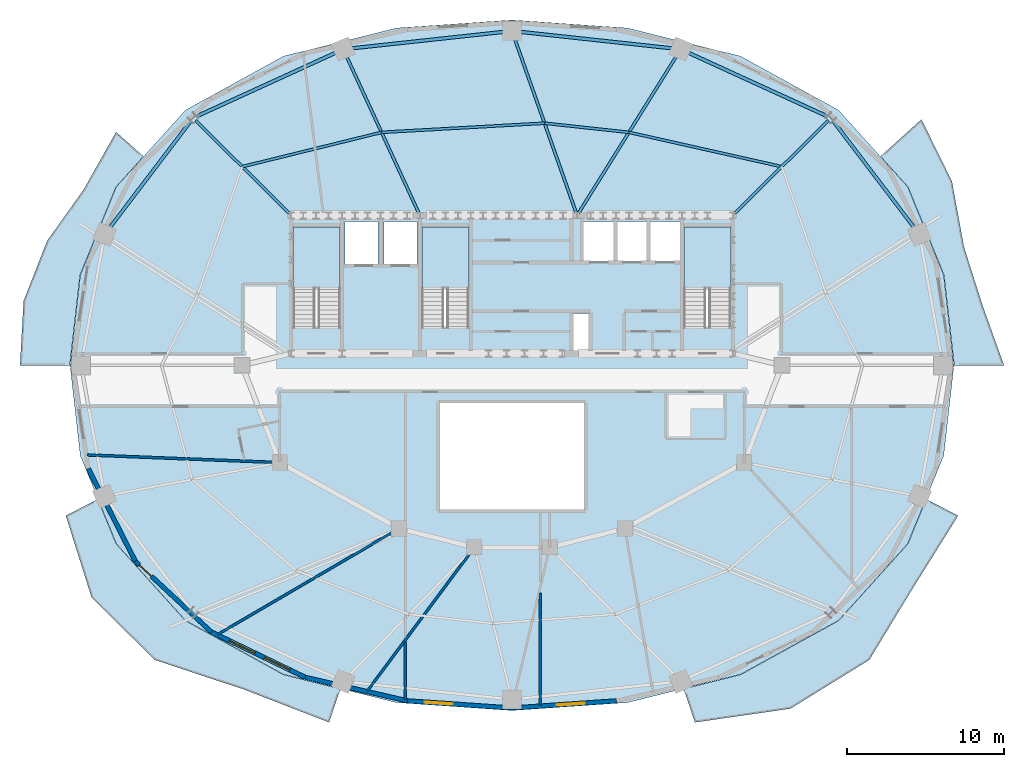
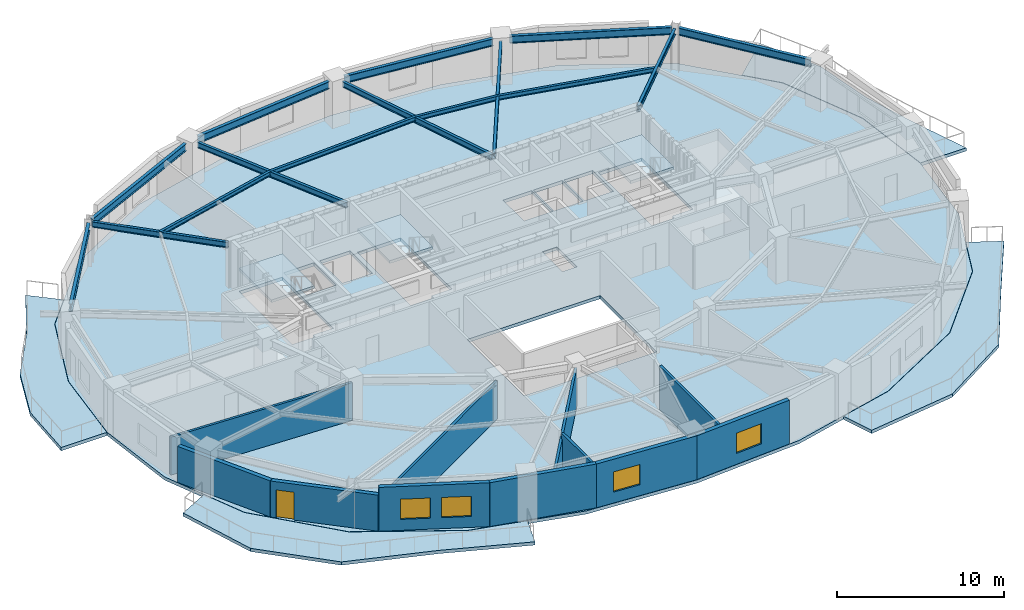
# One storey, part 3 of 11: 15 beams, 11 walls, 8 slabs, 4 windows, 1 door, 5 openings, 3 elements without a shape of their own.
"""IFC4 building model written with IfcOpenShell, lengths in metres."""

from ifc_helpers import new_model, si_unit, direction, frame, frame_2d, origin, origin_2d, place, context, subcontext, project, spatial, polyline, rectangle, i_section, outline, extrude, material, layer, layer_set, material_profile, profile_set, type_object, element, fill, aggregate, save


model = new_model("IFC4")

# Units and contexts
model_context = context("Model", 3, precision=1e-05, world=origin(), true_north=direction((0.0, 1.0)))
body_context = subcontext(model_context, "Body", "Model", "MODEL_VIEW")
ifc_project = project(units=[si_unit("LENGTHUNIT", "METRE"), si_unit("AREAUNIT", "SQUARE_METRE"), si_unit("VOLUMEUNIT", "CUBIC_METRE"), si_unit("PLANEANGLEUNIT", "RADIAN"), si_unit("MASSUNIT", "GRAM", prefix="KILO")], contexts=[model_context])

# Site, building, storey
site_placement = place(None, origin())
site = spatial("IfcSite", under=ifc_project, at=site_placement, CompositionType="ELEMENT")
building_placement = place(site_placement, origin())
building = spatial("IfcBuilding", under=site, at=building_placement, Name="Haldorwick Loom Tower", CompositionType="ELEMENT")
storey_placement = place(building_placement, frame((0.0, 0.0, 211.75)))
storey = spatial("IfcBuildingStorey", under=building, at=storey_placement, Name="L57", CompositionType="ELEMENT", Elevation=211.75)

# Beams
ifc_material_1 = material(Name="Steel CSA G40.21 350W", Category="steel")
ifc_material_profile_1 = material_profile(ifc_material_1, i_section(OverallWidth=0.166015625, OverallDepth=0.31298828125, WebThickness=0.006591796875, FlangeThickness=0.01123046875, at=origin_2d()), Name="W310X45", Category="steel")
ifc_profile_set_1 = profile_set([ifc_material_profile_1], Name="Steel CSA G40.21 350W")
beam_type_1 = type_object("IfcBeamType", Name="STR-BM-J310", PredefinedType="JOIST", material=ifc_profile_set_1)
beam_1_placement = place(storey_placement, frame((53.19384765625, 38.657470703125, 3.053466796875), z_axis=(-0.975700785876, 0.219107225898, 0.0), x_axis=(-0.219107225898, -0.975700785876, 0.0)))
element("IfcBeam", 1, at=beam_1_placement, inside=storey, type_object=beam_type_1, Name="L57 Mid-Bay Secondary Joist 3", PredefinedType="JOIST", context=body_context, shape_type="SweptSolid", body=[
    extrude(i_section(OverallWidth=0.166015625, OverallDepth=0.31298828125, WebThickness=0.006591796875, FlangeThickness=0.01123046875, at=origin_2d()), origin(), (0.0, 0.0, 1.0), 9.98486328125),
])
beam_2_placement = place(storey_placement, frame((43.45166015625, 40.84521484375, 3.053466796875), z_axis=(-0.994187082722, 0.107666357549, 0.0), x_axis=(-0.107666357549, -0.994187082722, 0.0)))
element("IfcBeam", 2, at=beam_2_placement, inside=storey, type_object=beam_type_1, Name="L57 Mid-Bay Secondary Joist 4", PredefinedType="JOIST", context=body_context, shape_type="SweptSolid", body=[
    extrude(i_section(OverallWidth=0.166015625, OverallDepth=0.31298828125, WebThickness=0.006591796875, FlangeThickness=0.01123046875, at=origin_2d()), origin(), (0.0, 0.0, 1.0), 5.408203125),
])
beam_3_placement = place(storey_placement, frame((38.074951171875, 41.427490234375, 3.053466796875), z_axis=(-0.998432354117, -0.05597172726, 0.0), x_axis=(0.05597172726, -0.998432354117, 0.0)))
element("IfcBeam", 3, at=beam_3_placement, inside=storey, type_object=beam_type_1, Name="L57 Mid-Bay Secondary Joist 5", PredefinedType="JOIST", context=body_context, shape_type="SweptSolid", body=[
    extrude(i_section(OverallWidth=0.166015625, OverallDepth=0.31298828125, WebThickness=0.006591796875, FlangeThickness=0.01123046875, at=origin_2d()), origin(), (0.0, 0.0, 1.0), 10.403076171875),
])
beam_4_placement = place(storey_placement, frame((27.688232421875, 40.84521484375, 3.053466796875), z_axis=(-0.970979703726, -0.239161901132, 0.0), x_axis=(0.239161901132, -0.970979703726, 0.0)))
element("IfcBeam", 4, at=beam_4_placement, inside=storey, type_object=beam_type_1, Name="L57 Mid-Bay Secondary Joist 6", PredefinedType="JOIST", context=body_context, shape_type="SweptSolid", body=[
    extrude(i_section(OverallWidth=0.166015625, OverallDepth=0.31298828125, WebThickness=0.006591796875, FlangeThickness=0.01123046875, at=origin_2d()), origin(), (0.0, 0.0, 1.0), 9.1474609375),
])
ifc_material_profile_2 = material_profile(ifc_material_1, i_section(OverallWidth=0.179931640625, OverallDepth=0.4130859375, WebThickness=0.009765625, FlangeThickness=0.01611328125, at=origin_2d()), Name="W410X74", Category="steel")
ifc_profile_set_2 = profile_set([ifc_material_profile_2], Name="Steel CSA G40.21 350W")
beam_type_2 = type_object("IfcBeamType", Name="STR-BM-J410", PredefinedType="JOIST", material=ifc_profile_set_2)
beam_5_placement = place(storey_placement, frame((50.1962890625, 35.675537109375, 3.00341796875), z_axis=(0.708962390492, 0.70524628951, 0.0), x_axis=(-0.70524628951, 0.708962390492, 0.0)))
element("IfcBeam", 5, at=beam_5_placement, inside=storey, type_object=beam_type_2, Name="L57 Radial Floor Girder 3", PredefinedType="JOIST", context=body_context, shape_type="SweptSolid", body=[
    extrude(i_section(OverallWidth=0.179931640625, OverallDepth=0.4130859375, WebThickness=0.009765625, FlangeThickness=0.01611328125, at=origin_2d()), origin(), (0.0, 0.0, 1.0), 8.409423828125),
])
beam_6_placement = place(storey_placement, frame((40.244140625, 35.700927734375, 3.00341796875), z_axis=(0.529095323143, 0.848562395483, 0.0), x_axis=(-0.848562395483, 0.529095323143, 0.0)))
element("IfcBeam", 6, at=beam_6_placement, inside=storey, type_object=beam_type_2, Name="L57 Radial Floor Girder 4", PredefinedType="JOIST", context=body_context, shape_type="SweptSolid", body=[
    extrude(i_section(OverallWidth=0.179931640625, OverallDepth=0.4130859375, WebThickness=0.009765625, FlangeThickness=0.01611328125, at=origin_2d()), origin(), (0.0, 0.0, 1.0), 11.78271484375),
])
beam_7_placement = place(storey_placement, frame((40.0908203125, 35.7177734375, 3.00341796875), z_axis=(-0.332908014691, 0.942959306521, 0.0), x_axis=(-0.942959306521, -0.332908014691, 0.0)))
element("IfcBeam", 7, at=beam_7_placement, inside=storey, type_object=beam_type_2, Name="L57 Radial Floor Girder 5", PredefinedType="JOIST", context=body_context, shape_type="SweptSolid", body=[
    extrude(i_section(OverallWidth=0.179931640625, OverallDepth=0.4130859375, WebThickness=0.009765625, FlangeThickness=0.01611328125, at=origin_2d()), origin(), (0.0, 0.0, 1.0), 11.768310546875),
])
beam_8_placement = place(storey_placement, frame((30.055419921875, 35.711669921875, 3.00341796875), z_axis=(-0.418729142855, 0.908111174319, 0.0), x_axis=(-0.908111174319, -0.418729142855, 0.0)))
element("IfcBeam", 8, at=beam_8_placement, inside=storey, type_object=beam_type_2, Name="L57 Radial Floor Girder 6", PredefinedType="JOIST", context=body_context, shape_type="SweptSolid", body=[
    extrude(i_section(OverallWidth=0.179931640625, OverallDepth=0.4130859375, WebThickness=0.009765625, FlangeThickness=0.01611328125, at=origin_2d()), origin(), (0.0, 0.0, 1.0), 10.96435546875),
])
beam_9_placement = place(storey_placement, frame((21.8037109375, 35.675537109375, 3.00341796875), z_axis=(-0.708962390492, 0.70524628951, 0.0), x_axis=(-0.70524628951, -0.708962390492, 0.0)))
element("IfcBeam", 9, at=beam_9_placement, inside=storey, type_object=beam_type_2, Name="L57 Radial Floor Girder 7", PredefinedType="JOIST", context=body_context, shape_type="SweptSolid", body=[
    extrude(i_section(OverallWidth=0.179931640625, OverallDepth=0.4130859375, WebThickness=0.009765625, FlangeThickness=0.01611328125, at=origin_2d()), origin(), (0.0, 0.0, 1.0), 8.409423828125),
])
ifc_material_profile_3 = material_profile(ifc_material_1, i_section(OverallWidth=0.2119140625, OverallDepth=0.5439453125, WebThickness=0.01318359375, FlangeThickness=0.021240234375, at=origin_2d()), Name="W530X123", Category="steel")
ifc_profile_set_3 = profile_set([ifc_material_profile_3], Name="Steel CSA G40.21 350W")
beam_type_3 = type_object("IfcBeamType", Name="STR-BM-SP530", PredefinedType="SPANDREL", material=ifc_profile_set_3)
beam_10_placement = place(storey_placement, frame((61.646240234375, 34.75634765625, 2.93798828125), z_axis=(-0.605236944797, 0.796045376001, 0.0), x_axis=(-0.796045376001, -0.605236944797, 0.0)))
element("IfcBeam", 10, at=beam_10_placement, inside=storey, type_object=beam_type_3, Name="L57 Perimeter Spandrel 2", PredefinedType="SPANDREL", context=body_context, shape_type="SweptSolid", body=[
    extrude(i_section(OverallWidth=0.2119140625, OverallDepth=0.5439453125, WebThickness=0.01318359375, FlangeThickness=0.021240234375, at=origin_2d()), origin(), (0.0, 0.0, 1.0), 8.5791015625),
])
beam_11_placement = place(storey_placement, frame((56.113037109375, 41.8583984375, 2.93798828125), z_axis=(-0.909342182232, 0.416049030299, 0.0), x_axis=(-0.416049030299, -0.909342182232, 0.0)))
element("IfcBeam", 11, at=beam_11_placement, inside=storey, type_object=beam_type_3, Name="L57 Perimeter Spandrel 3", PredefinedType="SPANDREL", context=body_context, shape_type="SweptSolid", body=[
    extrude(i_section(OverallWidth=0.2119140625, OverallDepth=0.5439453125, WebThickness=0.01318359375, FlangeThickness=0.021240234375, at=origin_2d()), origin(), (0.0, 0.0, 1.0), 9.772705078125),
])
for number, where, z_axis, x_axis, name in (
    (12, (46.236328125, 46.196533203125, 2.93798828125), (-0.994187774205, 0.107659972233, 0.0), (-0.107659972233, -0.994187774205, 0.0), "L57 Perimeter Spandrel 4"),
    (13, (35.48291015625, 47.2490234375, 2.93798828125), (-0.994187774205, -0.107659972233, 0.0), (0.107659972233, -0.994187774205, 0.0), "L57 Perimeter Spandrel 5"),
):
    element("IfcBeam", number, at=place(storey_placement, frame(where, z_axis=z_axis, x_axis=x_axis)), inside=storey, type_object=beam_type_3, Name=name, PredefinedType="SPANDREL", context=body_context, shape_type="SweptSolid", body=[
        extrude(i_section(OverallWidth=0.2119140625, OverallDepth=0.5439453125, WebThickness=0.01318359375, FlangeThickness=0.021240234375, at=origin_2d()), origin(), (0.0, 0.0, 1.0), 9.776123046875),
    ])
beam_12_placement = place(storey_placement, frame((24.773681640625, 45.92431640625, 2.93798828125), z_axis=(-0.909342182232, -0.416049030299, 0.0), x_axis=(0.416049030299, -0.909342182232, 0.0)))
element("IfcBeam", 14, at=beam_12_placement, inside=storey, type_object=beam_type_3, Name="L57 Perimeter Spandrel 6", PredefinedType="SPANDREL", context=body_context, shape_type="SweptSolid", body=[
    extrude(i_section(OverallWidth=0.2119140625, OverallDepth=0.5439453125, WebThickness=0.01318359375, FlangeThickness=0.021240234375, at=origin_2d()), origin(), (0.0, 0.0, 1.0), 9.772705078125),
])
beam_13_placement = place(storey_placement, frame((15.546142578125, 41.585693359375, 2.93798828125), z_axis=(-0.605236944797, -0.796045376001, 0.0), x_axis=(0.796045376001, -0.605236944797, 0.0)))
element("IfcBeam", 15, at=beam_13_placement, inside=storey, type_object=beam_type_3, Name="L57 Perimeter Spandrel 7", PredefinedType="SPANDREL", context=body_context, shape_type="SweptSolid", body=[
    extrude(i_section(OverallWidth=0.2119140625, OverallDepth=0.5439453125, WebThickness=0.01318359375, FlangeThickness=0.021240234375, at=origin_2d()), origin(), (0.0, 0.0, 1.0), 8.5791015625),
])

# Slabs
ifc_material_2 = material(Name="Concrete C40 (40 MPa)", Category="concrete")
ifc_layer_1 = layer(ifc_material_2, 0.239990234375, Name="Concrete C40 (40 MPa)", Category="concrete")
ifc_layer_set_1 = layer_set([ifc_layer_1], Name="Concrete C40 (40 MPa)")
slab_type_1 = type_object("IfcSlabType", Name="STR-SLB-BAL240", PredefinedType="FLOOR", material=ifc_layer_set_1)
slab_1_placement = place(storey_placement, frame((0.0, 0.0, -0.239990234375)))
element("IfcSlab", 16, at=slab_1_placement, inside=storey, type_object=slab_type_1, Name="L57 Sinusoidal Balcony Terrace BAL_SE", PredefinedType="FLOOR", context=body_context, shape_type="SweptSolid", body=[
    extrude(outline(polyline([(62.392333984375, 17.46240234375), (61.229736328125, 14.62060546875), (61.229248046875, 14.619384765625), (61.228515625, 14.6181640625), (61.227783203125, 14.6171875), (61.22705078125, 14.6162109375), (56.82373046875, 9.72998046875), (56.82275390625, 9.72900390625), (56.8212890625, 9.727783203125), (56.81982421875, 9.72705078125), (50.565673828125, 6.287109375), (50.564453125, 6.286376953125), (50.563232421875, 6.285888671875), (50.56201171875, 6.285400390625), (46.935302734375, 5.3798828125), (47.6591796875, 3.24169921875), (53.75341796875, 4.119873046875), (58.775634765625, 7.2275390625), (61.7333984375, 12.09521484375), (64.43798828125, 16.419189453125), (62.392333984375, 17.46240234375)])), origin(), (0.0, 0.0, 1.0), 0.239990234375),
])
slab_2_placement = place(storey_placement, frame((0.0, 0.0, -0.239990234375)))
element("IfcSlab", 17, at=slab_2_placement, inside=storey, type_object=slab_type_1, Name="L57 Sinusoidal Balcony Terrace BAL_SW", PredefinedType="FLOOR", context=body_context, shape_type="SweptSolid", body=[
    extrude(outline(polyline([(25.064697265625, 5.3798828125), (21.43798828125, 6.285400390625), (21.436767578125, 6.285888671875), (21.435546875, 6.286376953125), (21.434326171875, 6.287109375), (15.18017578125, 9.72705078125), (15.1787109375, 9.727783203125), (15.17724609375, 9.72900390625), (15.17626953125, 9.72998046875), (10.77294921875, 14.6162109375), (10.772216796875, 14.6171875), (10.771484375, 14.6181640625), (10.770751953125, 14.619384765625), (10.770263671875, 14.62060546875), (9.607666015625, 17.46240234375), (7.56201171875, 16.419189453125), (9.211181640625, 11.19287109375), (13.224365234375, 7.2275390625), (18.889404296875, 5.350830078125), (24.3408203125, 3.24169921875), (25.064697265625, 5.3798828125)])), origin(), (0.0, 0.0, 1.0), 0.239990234375),
])
slab_3_placement = place(storey_placement, frame((0.0, 0.0, -0.239990234375)))
element("IfcSlab", 18, at=slab_3_placement, inside=storey, type_object=slab_type_1, Name="L57 Sinusoidal Balcony Terrace BAL_WNW", PredefinedType="FLOOR", context=body_context, shape_type="SweptSolid", body=[
    extrude(outline(polyline([(7.818603515625, 26.0), (7.818603515625, 26.001708984375), (8.472412109375, 31.760986328125), (8.47265625, 31.762451171875), (8.472900390625, 31.763916015625), (8.473388671875, 31.76513671875), (10.770263671875, 37.37939453125), (10.770751953125, 37.380615234375), (10.771484375, 37.3818359375), (10.772216796875, 37.3828125), (10.77294921875, 37.3837890625), (12.5126953125, 39.314208984375), (10.7685546875, 40.871337890625), (8.718505859375, 37.227294921875), (6.367431640625, 33.91552734375), (4.875732421875, 30.102783203125), (4.645263671875, 26.0), (7.818603515625, 26.0)])), origin(), (0.0, 0.0, 1.0), 0.239990234375),
])
slab_4_placement = place(storey_placement, frame((0.0, 0.0, -0.239990234375)))
element("IfcSlab", 19, at=slab_4_placement, inside=storey, type_object=slab_type_1, Name="L57 Sinusoidal Balcony Terrace BAL_ENE", PredefinedType="FLOOR", context=body_context, shape_type="SweptSolid", body=[
    extrude(outline(polyline([(59.48681640625, 39.315185546875), (61.22705078125, 37.3837890625), (61.227783203125, 37.3828125), (61.228515625, 37.3818359375), (61.229248046875, 37.380615234375), (61.229736328125, 37.37939453125), (63.526611328125, 31.76513671875), (63.527099609375, 31.763916015625), (63.52734375, 31.762451171875), (63.527587890625, 31.760986328125), (64.181396484375, 26.001708984375), (64.181396484375, 26.0), (67.354736328125, 26.0), (65.969482421875, 29.86865234375), (64.79833984375, 33.568603515625), (64.038330078125, 37.720947265625), (62.09423828125, 41.673828125), (59.48681640625, 39.315185546875)])), origin(), (0.0, 0.0, 1.0), 0.239990234375),
])

# Stair, slab
stair_type = type_object("IfcStairType", Name="STR-STR-CORE", PredefinedType="HALF_TURN_STAIR", material=ifc_material_2)
stair_1_placement = place(storey_placement, origin())
stair_1 = element("IfcStair", 20, at=stair_1_placement, inside=storey, type_object=stair_type, Name="L57 Exit Stair ST-01", PredefinedType="HALF_TURN_STAIR")
ifc_layer_2 = layer(ifc_material_2, 0.199951171875, Name="Concrete C40 (40 MPa)", Category="concrete")
ifc_layer_set_2 = layer_set([ifc_layer_2], Name="Concrete C40 (40 MPa)")
slab_type_2 = type_object("IfcSlabType", Name="STR-SLB-LAND200", PredefinedType="LANDING", material=ifc_layer_set_2)
slab_5_placement = place(storey_placement, frame((0.0, 0.0, 1.52490234375)))
slab_5 = element("IfcSlab", 21, at=slab_5_placement, type_object=slab_type_2, Name="ST-01 landing 1", PredefinedType="LANDING", context=body_context, shape_type="SweptSolid", body=[
    extrude(outline(polyline([(25.050048828125, 30.919921875), (25.050048828125, 34.800048828125), (22.050048828125, 34.800048828125), (22.050048828125, 30.919921875), (25.050048828125, 30.919921875)])), origin(), (0.0, 0.0, 1.0), 0.2001953125),
])
aggregate(stair_1, [slab_5])

stair_2_placement = place(storey_placement, origin())
stair_2 = element("IfcStair", 22, at=stair_2_placement, inside=storey, type_object=stair_type, Name="L57 Exit Stair ST-02", PredefinedType="HALF_TURN_STAIR")
slab_6_placement = place(storey_placement, frame((0.0, 0.0, 1.52490234375)))
slab_6 = element("IfcSlab", 23, at=slab_6_placement, type_object=slab_type_2, Name="ST-02 landing 1", PredefinedType="LANDING", context=body_context, shape_type="SweptSolid", body=[
    extrude(outline(polyline([(49.949951171875, 30.919921875), (49.949951171875, 34.800048828125), (46.949951171875, 34.800048828125), (46.949951171875, 30.919921875), (49.949951171875, 30.919921875)])), origin(), (0.0, 0.0, 1.0), 0.2001953125),
])
aggregate(stair_2, [slab_6])

stair_3_placement = place(storey_placement, origin())
stair_3 = element("IfcStair", 24, at=stair_3_placement, inside=storey, type_object=stair_type, Name="L57 Exit Stair ST-03", PredefinedType="HALF_TURN_STAIR")
slab_7_placement = place(storey_placement, frame((0.0, 0.0, 1.52490234375)))
slab_7 = element("IfcSlab", 25, at=slab_7_placement, type_object=slab_type_2, Name="ST-03 landing 1", PredefinedType="LANDING", context=body_context, shape_type="SweptSolid", body=[
    extrude(outline(polyline([(33.25, 30.919921875), (33.25, 34.800048828125), (30.25, 34.800048828125), (30.25, 30.919921875), (33.25, 30.919921875)])), origin(), (0.0, 0.0, 1.0), 0.2001953125),
])
aggregate(stair_3, [slab_7])

# Slab
ifc_layer_3 = layer(ifc_material_2, 0.239990234375, Name="Concrete C40 (40 MPa)", Category="concrete")
ifc_layer_set_3 = layer_set([ifc_layer_3], Name="Concrete C40 (40 MPa)")
slab_type_3 = type_object("IfcSlabType", Name="STR-SLB-RES240", PredefinedType="FLOOR", material=ifc_layer_set_3)
slab_8_placement = place(storey_placement, frame((0.0, 0.0, -0.239990234375)))
element("IfcSlab", 26, at=slab_8_placement, inside=storey, type_object=slab_type_3, Name="L57 Residential Structural Floor Slab", PredefinedType="FLOOR", context=body_context, shape_type="SweptSolid", body=[
    extrude(outline(polyline([(56.812744140625, 9.739990234375), (61.2158203125, 14.626220703125), (63.5126953125, 20.240478515625), (64.16650390625, 26.0), (63.5126953125, 31.759521484375), (61.2158203125, 37.373779296875), (56.812744140625, 42.260009765625), (50.558349609375, 45.699951171875), (43.3720703125, 47.494384765625), (36.0, 48.0048828125), (28.6279296875, 47.494384765625), (21.441650390625, 45.699951171875), (15.187255859375, 42.260009765625), (10.7841796875, 37.373779296875), (8.4873046875, 31.759521484375), (7.83349609375, 26.0), (8.4873046875, 20.240478515625), (10.7841796875, 14.626220703125), (15.187255859375, 9.739990234375), (21.441650390625, 6.300048828125), (28.6279296875, 4.505615234375), (36.0, 3.9951171875), (43.3720703125, 4.505615234375), (50.558349609375, 6.300048828125), (56.812744140625, 9.739990234375)]), holes=[polyline([(31.39990234375, 16.800048828125), (31.39990234375, 23.60009765625), (40.60009765625, 23.60009765625), (40.60009765625, 16.800048828125), (31.39990234375, 16.800048828125)]), polyline([(40.89990234375, 26.89990234375), (39.89990234375, 26.89990234375), (39.89990234375, 29.300048828125), (40.89990234375, 29.300048828125), (40.89990234375, 26.89990234375)]), polyline([(23.6201171875, 28.39990234375), (22.050048828125, 28.39990234375), (22.050048828125, 34.800048828125), (25.050048828125, 34.800048828125), (25.050048828125, 28.639892578125), (23.6201171875, 28.639892578125), (23.6201171875, 28.39990234375)]), polyline([(30.25, 28.39990234375), (30.25, 34.800048828125), (33.25, 34.800048828125), (33.25, 28.639892578125), (31.820068359375, 28.639892578125), (31.820068359375, 28.39990234375), (30.25, 28.39990234375)]), polyline([(46.949951171875, 28.39990234375), (46.949951171875, 34.800048828125), (49.949951171875, 34.800048828125), (49.949951171875, 28.639892578125), (48.52001953125, 28.639892578125), (48.52001953125, 28.39990234375), (46.949951171875, 28.39990234375)]), polyline([(27.449951171875, 32.449951171875), (25.35009765625, 32.449951171875), (25.35009765625, 35.14990234375), (27.449951171875, 35.14990234375), (27.449951171875, 32.449951171875)]), polyline([(29.949951171875, 32.449951171875), (27.85009765625, 32.449951171875), (27.85009765625, 35.14990234375), (29.949951171875, 35.14990234375), (29.949951171875, 32.449951171875)]), polyline([(42.550048828125, 32.64990234375), (40.550048828125, 32.64990234375), (40.550048828125, 35.14990234375), (42.550048828125, 35.14990234375), (42.550048828125, 32.64990234375)]), polyline([(42.64990234375, 32.64990234375), (42.64990234375, 35.14990234375), (44.64990234375, 35.14990234375), (44.64990234375, 32.64990234375), (42.64990234375, 32.64990234375)]), polyline([(44.75, 32.64990234375), (44.75, 35.14990234375), (46.75, 35.14990234375), (46.75, 32.64990234375), (44.75, 32.64990234375)])]), origin(), (0.0, 0.0, 1.0), 0.239990234375),
])

# Wall
ifc_material_3 = material(Name="Pressed Clay Face Brick and Insulated Masonry Backup Assembly", Category="masonry")
ifc_layer_4 = layer(ifc_material_3, 0.280029296875, Name="Pressed Clay Face Brick and Insulated Masonry Backup Assembly", Category="masonry")
ifc_layer_set_4 = layer_set([ifc_layer_4], Name="Pressed Clay Face Brick and Insulated Masonry Backup Assembly")
wall_type_1 = type_object("IfcWallType", Name="ARC-WL-EXT280", PredefinedType="STANDARD", material=ifc_layer_set_4)
wall_1_placement = place(storey_placement, frame((8.995849609375, 19.415283203125, 0.0), z_axis=(0.0, 0.0, 1.0), x_axis=(0.453032066879, -0.89149422117, 0.0)))
element("IfcWall", 27, at=wall_1_placement, inside=storey, type_object=wall_type_1, Name="L57 Brick Pier and Spandrel Wall 14", PredefinedType="STANDARD", context=body_context, shape_type="SweptSolid", body=[
    extrude(rectangle(XDim=6.618896484375, YDim=0.280029296875, at=frame_2d((3.3095703125, 0.0))), origin(), (0.0, 0.0, 1.0), 2.64111328125),
])

# Wall, opening, door
wall_2_placement = place(storey_placement, frame((11.994384765625, 13.5146484375, 0.0), z_axis=(0.0, 0.0, 1.0), x_axis=(0.731833707499, -0.681483253329, 0.0)))
wall_2 = element("IfcWall", 28, at=wall_2_placement, inside=storey, type_object=wall_type_1, Name="L57 Brick Pier and Spandrel Wall 15", PredefinedType="STANDARD", context=body_context, shape_type="SweptSolid", body=[
    extrude(rectangle(XDim=6.61865234375, YDim=0.280029296875, at=frame_2d((3.309326171875, 0.0))), origin(), (0.0, 0.0, 1.0), 2.64111328125),
])
opening_1_placement = place(wall_2_placement, frame((0.340087890625, 0.0, 0.0)))
opening_1 = element("IfcOpeningElement", 29, at=opening_1_placement, cuts=wall_2, Name="Opening D-BL11", PredefinedType="OPENING", context=body_context, shape_type="SweptSolid", body=[
    extrude(rectangle(XDim=1.080078125, YDim=2.0400390625, at=frame_2d((0.5400390625, 1.02001953125))), frame((0.0, 0.14990234375, 0.0), z_axis=(0.0, -1.0, 0.0), x_axis=(1.0, 0.0, 0.0)), (0.0, 0.0, 1.0), 0.300048828125),
])
ifc_material_4 = material(Name="Thermally Broken Anodized Aluminium Curtain Wall Framing", Category="aluminium")
door_type = type_object("IfcDoorType", Name="ARC-DR-BAL110", OperationType="NOTDEFINED", PredefinedType="DOOR", material=ifc_material_4)
door_placement = place(opening_1_placement, origin())
door = element("IfcDoor", 30, at=door_placement, inside=storey, type_object=door_type, Name="L57 Outdoor Terrace Door SLB-L57-BAL_SW", OperationType="SINGLE_SWING_LEFT", OverallHeight=2.0400390625, OverallWidth=1.080078125, PredefinedType="DOOR", context=body_context, shape_type="SweptSolid", body=[
    extrude(rectangle(XDim=1.080078125, YDim=2.0400390625, at=frame_2d((0.5400390625, 1.02001953125))), frame((0.0, 0.02490234375, 0.0), z_axis=(0.0, -1.0, 0.0), x_axis=(1.0, 0.0, 0.0)), (0.0, 0.0, 1.0), 0.050048828125),
])
fill(opening_1, door)

# Wall, openings, windows
wall_3_placement = place(storey_placement, frame((16.838134765625, 9.004150390625, 0.0), z_axis=(0.0, 0.0, 1.0), x_axis=(0.900371236029, -0.435122554381, 0.0)))
wall_3 = element("IfcWall", 31, at=wall_3_placement, inside=storey, type_object=wall_type_1, Name="L57 Brick Pier and Spandrel Wall 16", PredefinedType="STANDARD", context=body_context, shape_type="SweptSolid", body=[
    extrude(rectangle(XDim=6.6533203125, YDim=0.280029296875, at=frame_2d((3.32666015625, 0.0))), origin(), (0.0, 0.0, 1.0), 3.2099609375),
])
opening_2_placement = place(wall_3_placement, frame((1.2939453125, 0.0, 0.800048828125)))
opening_2 = element("IfcOpeningElement", 32, at=opening_2_placement, cuts=wall_3, Name="Opening W-01", PredefinedType="OPENING", context=body_context, shape_type="SweptSolid", body=[
    extrude(rectangle(XDim=1.800048828125, YDim=1.47998046875, at=frame_2d((0.89990234375, 0.739990234375))), frame((0.0, 0.14990234375, 0.0), z_axis=(0.0, -1.0, 0.0), x_axis=(1.0, 0.0, 0.0)), (0.0, 0.0, 1.0), 0.300048828125),
])
opening_3_placement = place(wall_3_placement, frame((3.75732421875, 0.0, 0.800048828125)))
opening_3 = element("IfcOpeningElement", 33, at=opening_3_placement, cuts=wall_3, Name="Opening W-01", PredefinedType="OPENING", context=body_context, shape_type="SweptSolid", body=[
    extrude(rectangle(XDim=1.800048828125, YDim=1.47998046875, at=frame_2d((0.89990234375, 0.739990234375))), frame((0.0, 0.14990234375, 0.0), z_axis=(0.0, -1.0, 0.0), x_axis=(1.0, 0.0, 0.0)), (0.0, 0.0, 1.0), 0.300048828125),
])
ifc_material_5 = material(Name="Triple-Glazed Low-E Argon Insulated Glazing Unit", Category="glass")
window_type = type_object("IfcWindowType", Name="ARC-WIN-W180", PartitioningType="SINGLE_PANEL", PredefinedType="WINDOW", material=ifc_material_5)
window_1_placement = place(opening_2_placement, origin())
window_1 = element("IfcWindow", 34, at=window_1_placement, inside=storey, type_object=window_type, Name="L57 Deep-Set Zone 7A Window 16", OverallHeight=1.47998046875, OverallWidth=1.800048828125, PartitioningType="SINGLE_PANEL", PredefinedType="WINDOW", context=body_context, shape_type="SweptSolid", body=[
    extrude(rectangle(XDim=1.800048828125, YDim=1.47998046875, at=frame_2d((0.89990234375, 0.739990234375))), frame((0.0, 0.030029296875, 0.0), z_axis=(0.0, -1.0, 0.0), x_axis=(1.0, 0.0, 0.0)), (0.0, 0.0, 1.0), 0.06005859375),
])
fill(opening_2, window_1)
window_2_placement = place(opening_3_placement, origin())
window_2 = element("IfcWindow", 35, at=window_2_placement, inside=storey, type_object=window_type, Name="L57 Deep-Set Zone 7A Window 16", OverallHeight=1.47998046875, OverallWidth=1.800048828125, PartitioningType="SINGLE_PANEL", PredefinedType="WINDOW", context=body_context, shape_type="SweptSolid", body=[
    extrude(rectangle(XDim=1.800048828125, YDim=1.47998046875, at=frame_2d((0.89990234375, 0.739990234375))), frame((0.0, 0.030029296875, 0.0), z_axis=(0.0, -1.0, 0.0), x_axis=(1.0, 0.0, 0.0)), (0.0, 0.0, 1.0), 0.06005859375),
])
fill(opening_3, window_2)

# Wall
wall_4_placement = place(storey_placement, frame((22.82861328125, 6.109130859375, 0.0), z_axis=(0.0, 0.0, 1.0), x_axis=(0.974557343474, -0.224138315065, 0.0)))
element("IfcWall", 36, at=wall_4_placement, inside=storey, type_object=wall_type_1, Name="L57 Brick Pier and Spandrel Wall 17", PredefinedType="STANDARD", context=body_context, shape_type="SweptSolid", body=[
    extrude(rectangle(XDim=6.676025390625, YDim=0.280029296875, at=frame_2d((3.337890625, 0.0))), origin(), (0.0, 0.0, 1.0), 3.2099609375),
])

# Wall, opening, window
wall_5_placement = place(storey_placement, frame((29.334716796875, 4.61279296875, 0.0), z_axis=(0.0, 0.0, 1.0), x_axis=(0.99764992135, -0.068517402386, 0.0)))
wall_5 = element("IfcWall", 37, at=wall_5_placement, inside=storey, type_object=wall_type_1, Name="L57 Brick Pier and Spandrel Wall 18", PredefinedType="STANDARD", context=body_context, shape_type="SweptSolid", body=[
    extrude(rectangle(XDim=6.680908203125, YDim=0.280029296875, at=frame_2d((3.34033203125, 0.0))), origin(), (0.0, 0.0, 1.0), 3.2099609375),
])
opening_4_placement = place(wall_5_placement, frame((1.104248046875, 0.0, 0.800048828125)))
opening_4 = element("IfcOpeningElement", 38, at=opening_4_placement, cuts=wall_5, Name="Opening W-01", PredefinedType="OPENING", context=body_context, shape_type="SweptSolid", body=[
    extrude(rectangle(XDim=1.800048828125, YDim=1.47998046875, at=frame_2d((0.89990234375, 0.739990234375))), frame((0.0, 0.14990234375, 0.0), z_axis=(0.0, -1.0, 0.0), x_axis=(1.0, 0.0, 0.0)), (0.0, 0.0, 1.0), 0.300048828125),
])
window_3_placement = place(opening_4_placement, origin())
window_3 = element("IfcWindow", 39, at=window_3_placement, inside=storey, type_object=window_type, Name="L57 Deep-Set Zone 7A Window 18", OverallHeight=1.47998046875, OverallWidth=1.800048828125, PartitioningType="SINGLE_PANEL", PredefinedType="WINDOW", context=body_context, shape_type="SweptSolid", body=[
    extrude(rectangle(XDim=1.800048828125, YDim=1.47998046875, at=frame_2d((0.89990234375, 0.739990234375))), frame((0.0, 0.030029296875, 0.0), z_axis=(0.0, -1.0, 0.0), x_axis=(1.0, 0.0, 0.0)), (0.0, 0.0, 1.0), 0.06005859375),
])
fill(opening_4, window_3)

wall_6_placement = place(storey_placement, frame((36.0, 4.155029296875, 0.0), z_axis=(0.0, 0.0, 1.0), x_axis=(0.99764992135, 0.068517402386, 0.0)))
wall_6 = element("IfcWall", 40, at=wall_6_placement, inside=storey, type_object=wall_type_1, Name="L57 Brick Pier and Spandrel Wall 19", PredefinedType="STANDARD", context=body_context, shape_type="SweptSolid", body=[
    extrude(rectangle(XDim=6.680908203125, YDim=0.280029296875, at=frame_2d((3.34033203125, 0.0))), origin(), (0.0, 0.0, 1.0), 3.2099609375),
])
opening_5_placement = place(wall_6_placement, frame((2.860595703125, 0.0, 0.800048828125)))
opening_5 = element("IfcOpeningElement", 41, at=opening_5_placement, cuts=wall_6, Name="Opening W-01", PredefinedType="OPENING", context=body_context, shape_type="SweptSolid", body=[
    extrude(rectangle(XDim=1.800048828125, YDim=1.47998046875, at=frame_2d((0.89990234375, 0.739990234375))), frame((0.0, 0.14990234375, 0.0), z_axis=(0.0, -1.0, 0.0), x_axis=(1.0, 0.0, 0.0)), (0.0, 0.0, 1.0), 0.300048828125),
])
window_4_placement = place(opening_5_placement, origin())
window_4 = element("IfcWindow", 42, at=window_4_placement, inside=storey, type_object=window_type, Name="L57 Deep-Set Zone 7A Window 19", OverallHeight=1.47998046875, OverallWidth=1.800048828125, PartitioningType="SINGLE_PANEL", PredefinedType="WINDOW", context=body_context, shape_type="SweptSolid", body=[
    extrude(rectangle(XDim=1.800048828125, YDim=1.47998046875, at=frame_2d((0.89990234375, 0.739990234375))), frame((0.0, 0.030029296875, 0.0), z_axis=(0.0, -1.0, 0.0), x_axis=(1.0, 0.0, 0.0)), (0.0, 0.0, 1.0), 0.06005859375),
])
fill(opening_5, window_4)

# Walls
ifc_material_6 = material(Name="Fire-Rated Type X Gypsum Stud Assembly EI 60")
ifc_layer_5 = layer(ifc_material_6, 0.159912109375, Name="Fire-Rated Type X Gypsum Stud Assembly EI 60")
ifc_layer_set_5 = layer_set([ifc_layer_5], Name="Fire-Rated Type X Gypsum Stud Assembly EI 60")
wall_type_2 = type_object("IfcWallType", Name="ARC-WL-FIRE160", PredefinedType="PARTITIONING", material=ifc_layer_set_5)
wall_7_placement = place(storey_placement, frame((33.60009765625, 14.39990234375, 0.0), z_axis=(0.0, 0.0, 1.0), x_axis=(-0.597492108958, -0.801874790559, 0.0)))
element("IfcWall", 43, at=wall_7_placement, inside=storey, type_object=wall_type_2, Name="L57 Residential Fire Partition L57-ICR-08", PredefinedType="PARTITIONING", context=body_context, shape_type="SweptSolid", body=[
    extrude(rectangle(XDim=11.414794921875, YDim=0.159912109375, at=frame_2d((5.70751953125, 0.0))), origin(), (0.0, 0.0, 1.0), 2.77197265625),
])
wall_8_placement = place(storey_placement, frame((28.800048828125, 15.60009765625, 0.0), z_axis=(0.0, 0.0, 1.0), x_axis=(-0.863354797211, -0.504597358428, 0.0)))
element("IfcWall", 44, at=wall_8_placement, inside=storey, type_object=wall_type_2, Name="L57 Residential Fire Partition L57-ICR-10", PredefinedType="PARTITIONING", context=body_context, shape_type="SweptSolid", body=[
    extrude(rectangle(XDim=13.3720703125, YDim=0.159912109375, at=frame_2d((6.68603515625, 0.0))), origin(), (0.0, 0.0, 1.0), 2.77197265625),
])
wall_9_placement = place(storey_placement, frame((21.199951171875, 19.800048828125, 0.0), z_axis=(0.0, 0.0, 1.0), x_axis=(-0.999215005208, 0.039615317318, 0.0)))
element("IfcWall", 45, at=wall_9_placement, inside=storey, type_object=wall_type_2, Name="L57 Residential Fire Partition L57-ICR-12", PredefinedType="PARTITIONING", context=body_context, shape_type="SweptSolid", body=[
    extrude(rectangle(XDim=12.301025390625, YDim=0.159912109375, at=frame_2d((6.150390625, 0.0))), origin(), (0.0, 0.0, 1.0), 2.77197265625),
])
wall_10_placement = place(storey_placement, frame((29.199951171875, 4.68994140625, 0.0), z_axis=(0.0, 0.0, 1.0), x_axis=(0.0, 1.0, 0.0)))
element("IfcWall", 46, at=wall_10_placement, inside=storey, type_object=wall_type_2, Name="L57 Residential Fire Partition L57-SBP-0", PredefinedType="PARTITIONING", context=body_context, shape_type="SweptSolid", body=[
    extrude(rectangle(XDim=3.665771484375, YDim=0.159912109375, at=frame_2d((1.8330078125, 0.0))), origin(), (0.0, 0.0, 1.0), 3.195068359375),
])
wall_11_placement = place(storey_placement, frame((37.800048828125, 4.32373046875, 0.0), z_axis=(0.0, 0.0, 1.0), x_axis=(0.0, 1.0, 0.0)))
element("IfcWall", 47, at=wall_11_placement, inside=storey, type_object=wall_type_2, Name="L57 Residential Fire Partition L57-SBP-1", PredefinedType="PARTITIONING", context=body_context, shape_type="SweptSolid", body=[
    extrude(rectangle(XDim=7.1796875, YDim=0.159912109375, at=frame_2d((3.58984375, 0.0))), origin(), (0.0, 0.0, 1.0), 3.195068359375),
])

save(model, "model.ifc")
